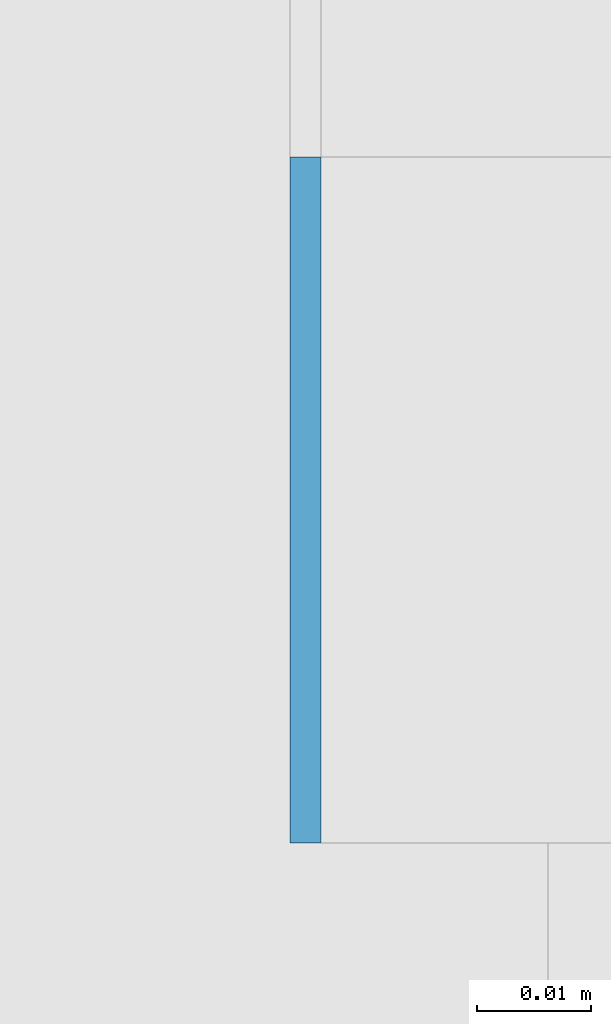
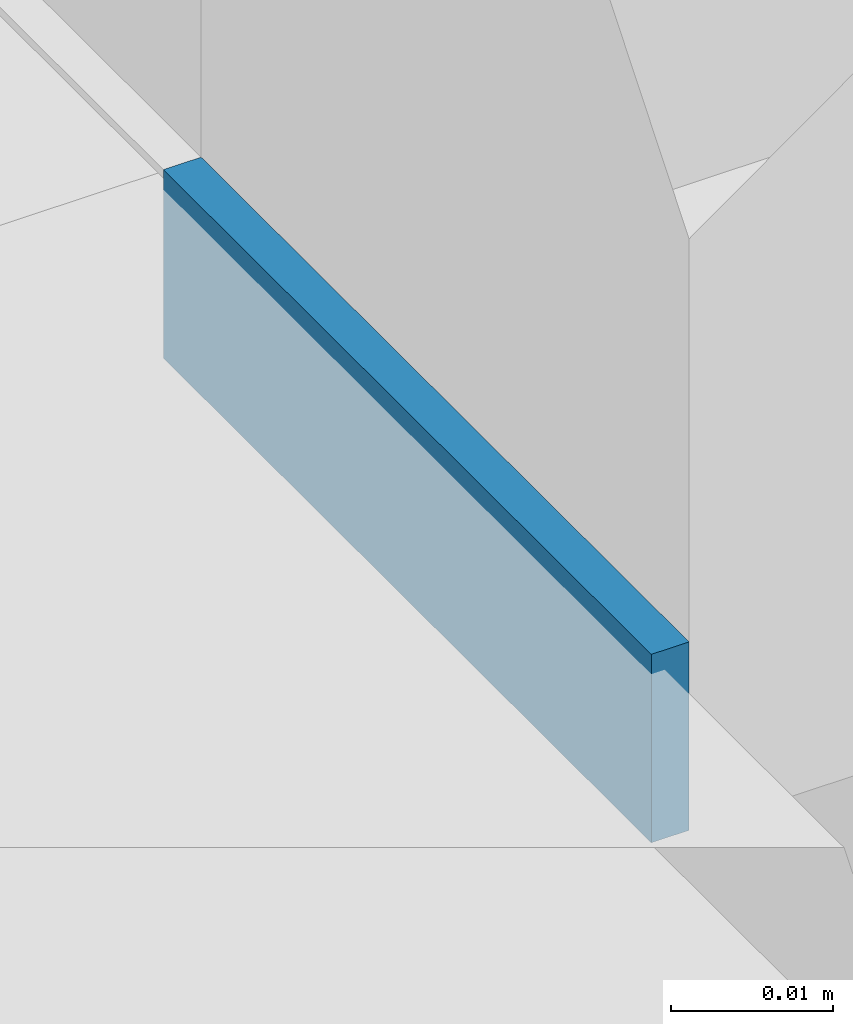
# One storey, part 508 of 646: 1 discrete accessory.
"""IFC4 building model written with IfcOpenShell, lengths in metres."""

from ifc_helpers import new_model, si_unit, direction, frame, origin, origin_2d, place, context, subcontext, project, spatial, rectangle, extrude, material, type_object, element, save


model = new_model("IFC4")

# Units and contexts
model_context = context("Model", 3, precision=1e-05, world=origin(), true_north=direction((0.0, 1.0)))
body_context = subcontext(model_context, "Body", "Model", "MODEL_VIEW")
ifc_project = project(units=[si_unit("LENGTHUNIT", "METRE"), si_unit("AREAUNIT", "SQUARE_METRE"), si_unit("VOLUMEUNIT", "CUBIC_METRE"), si_unit("PLANEANGLEUNIT", "RADIAN"), si_unit("MASSUNIT", "GRAM", prefix="KILO")], contexts=[model_context])

# Site, building, storey
site_placement = place(None, origin())
site = spatial("IfcSite", under=ifc_project, at=site_placement, CompositionType="ELEMENT")
building_placement = place(site_placement, origin())
building = spatial("IfcBuilding", under=site, at=building_placement, Name="Silverbay Arena", CompositionType="ELEMENT")
storey_placement = place(building_placement, frame((0.0, 0.0, 33.5)))
storey = spatial("IfcBuildingStorey", under=building, at=storey_placement, Name="L05", CompositionType="ELEMENT", Elevation=33.5)

# Discrete accessory
ifc_material = material(Name="Steel S355", Category="steel")
discrete_accessory_type = type_object("IfcDiscreteAccessoryType", Name="Steel bracket plate", PredefinedType="BRACKET", material=ifc_material)
discrete_accessory_placement = place(storey_placement, frame((207.128662109375, 71.969970703125, 4.0), z_axis=(0.0, 0.0, 1.0), x_axis=(1.0, 0.0, 0.0)))
element("IfcDiscreteAccessory", 1, at=discrete_accessory_placement, inside=storey, type_object=discrete_accessory_type, Name="Curtain wall packing plate", PredefinedType="BRACKET", context=body_context, shape_type="SweptSolid", body=[
    extrude(rectangle(XDim=0.002685546875, YDim=0.06005859375, at=origin_2d()), origin(), (0.0, 0.0, 1.0), 0.01416015625),
])

save(model, "model.ifc")
